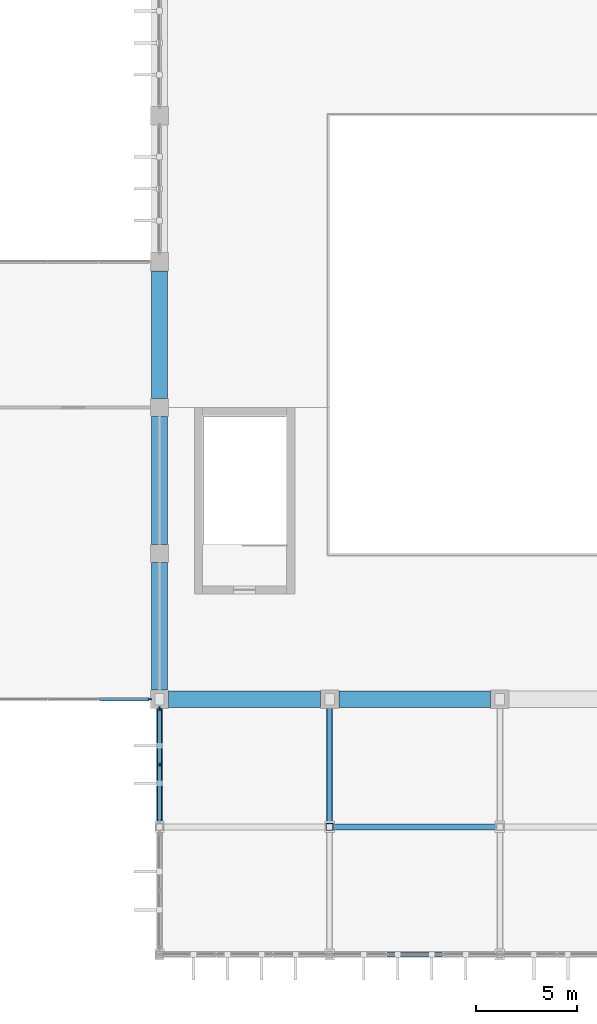
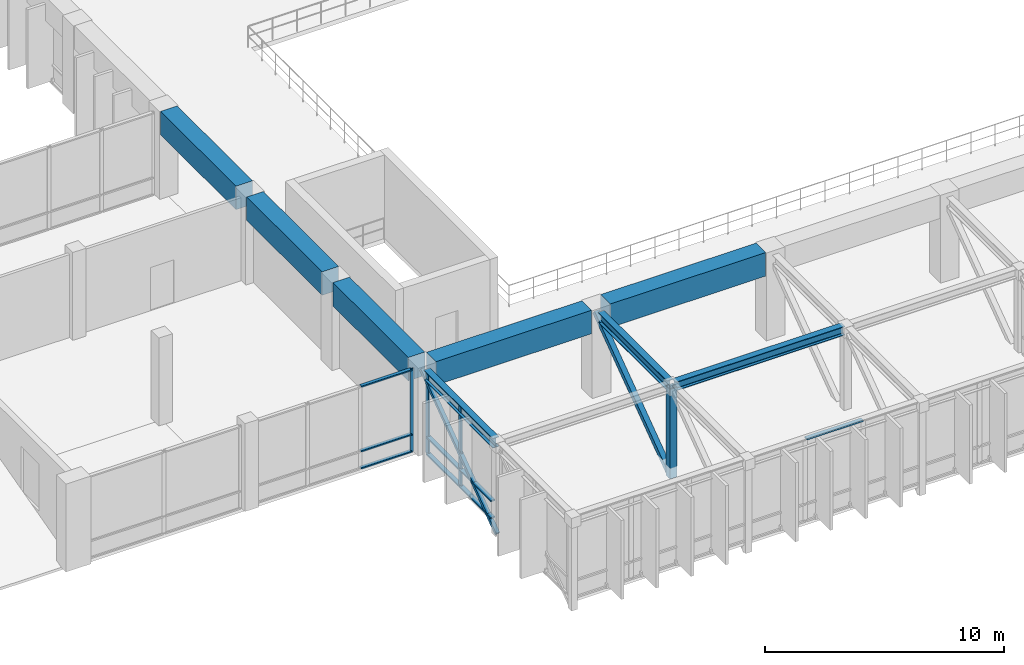
# One storey, part 3 of 40: 16 members, 8 beams, 3 elements without a shape of their own.
"""IFC4 building model written with IfcOpenShell, lengths in metres."""

from ifc_helpers import new_model, si_unit, direction, frame, origin, origin_2d, place, context, subcontext, project, spatial, rectangle, hollow_rectangle, i_section, extrude, material, material_profile, profile_set, type_object, element, aggregate, save


model = new_model("IFC4")

# Units and contexts
model_context = context("Model", 3, precision=1e-05, world=origin(), true_north=direction((0.0, 1.0)))
body_context = subcontext(model_context, "Body", "Model", "MODEL_VIEW")
ifc_project = project(units=[si_unit("LENGTHUNIT", "METRE"), si_unit("AREAUNIT", "SQUARE_METRE"), si_unit("VOLUMEUNIT", "CUBIC_METRE"), si_unit("PLANEANGLEUNIT", "RADIAN"), si_unit("MASSUNIT", "GRAM", prefix="KILO")], contexts=[model_context])

# Site, building, storey
site_placement = place(None, origin())
site = spatial("IfcSite", under=ifc_project, at=site_placement, CompositionType="ELEMENT")
building_placement = place(site_placement, origin())
building = spatial("IfcBuilding", under=site, at=building_placement, Name="Kenerak Square Central Library", CompositionType="ELEMENT")
storey_placement = place(building_placement, frame((0.0, 0.0, 14.39990234375)))
storey = spatial("IfcBuildingStorey", under=building, at=storey_placement, Name="L03", CompositionType="ELEMENT", Elevation=14.39990234375)

# Beams
ifc_material_1 = material(Name="Steel S355", Category="steel")
ifc_material_profile_1 = material_profile(ifc_material_1, i_section(OverallWidth=0.300048828125, OverallDepth=0.5, WebThickness=0.014404296875, FlangeThickness=0.028076171875, FilletRadius=0.027099609375, at=origin_2d()), Name="HEB 500")
ifc_profile_set_1 = profile_set([ifc_material_profile_1], Name="Steel S355")
beam_type_1 = type_object("IfcBeamType", Name="Backspan Steel Girder SB-03 HEB 500 S355", PredefinedType="BEAM", material=ifc_profile_set_1)
for number, where, z_axis, x_axis, name in (
    (1, (58.39990234375, 10.6201171875, 4.025146484375), (0.0, 1.0, 0.0), (-1.0, 0.0, 0.0), "Wall-Truss Chord 1 L03 008"),
    (2, (66.800048828125, 10.6201171875, 4.025146484375), (0.0, 1.0, 0.0), (-1.0, 0.0, 0.0), "Wall-Truss Chord 2 L03 024"),
):
    element("IfcBeam", number, at=place(storey_placement, frame(where, z_axis=z_axis, x_axis=x_axis)), inside=storey, type_object=beam_type_1, Name=name, PredefinedType="BEAM", context=body_context, shape_type="SweptSolid", body=[
        extrude(i_section(OverallWidth=0.300048828125, OverallDepth=0.5, WebThickness=0.014404296875, FlangeThickness=0.028076171875, FilletRadius=0.027099609375, at=origin_2d()), origin(), (0.0, 0.0, 1.0), 5.77978515625),
    ])

# Curtain wall, member
ifc_material_2 = material(Name="Anodised aluminium and solar-control low-E glazing", Category="aluminium")
curtain_wall_type_1 = type_object("IfcCurtainWallType", Name="Curtain Wall CW-V6-76x42 7625x4230", PredefinedType="USERDEFINED", material=ifc_material_2)
curtain_wall_1_placement = place(storey_placement, origin())
curtain_wall_1 = element("IfcCurtainWall", 3, at=curtain_wall_1_placement, inside=storey, type_object=curtain_wall_type_1, Name="Curtain Wall CW-V6-76x42 L03 0139", ObjectType="CURTAIN WALL", PredefinedType="USERDEFINED")
ifc_material_3 = material(Name="Anodised aluminium 6063-T6", Category="aluminium")
ifc_material_profile_2 = material_profile(ifc_material_3, rectangle(XDim=0.06494140625, YDim=0.179931640625, at=origin_2d()), Name="AL MULLION 65x180")
ifc_profile_set_2 = profile_set([ifc_material_profile_2], Name="Anodised aluminium 6063-T6")
member_type_1 = type_object("IfcMemberType", Name="Curtain Mullion CM-01 65x180", PredefinedType="MULLION", material=ifc_profile_set_2)
member_1_placement = place(storey_placement, frame((57.91748046875, 16.800048828125, 0.0), z_axis=(0.0, 0.0, 1.0), x_axis=(0.0, -1.0, 0.0)))
member_1 = element("IfcMember", 4, at=member_1_placement, type_object=member_type_1, Name="CW-V6-76x42 Mullion 1", PredefinedType="MULLION", context=body_context, shape_type="SweptSolid", body=[
    extrude(rectangle(XDim=0.06494140625, YDim=0.179931640625, at=origin_2d()), origin(), (0.0, 0.0, 1.0), 4.22998046875),
])

# Curtain wall, members
curtain_wall_type_2 = type_object("IfcCurtainWallType", Name="Curtain Wall CW-V1-55x42 5550x4230", PredefinedType="USERDEFINED", material=ifc_material_2)
curtain_wall_2_placement = place(storey_placement, origin())
curtain_wall_2 = element("IfcCurtainWall", 5, at=curtain_wall_2_placement, inside=storey, type_object=curtain_wall_type_2, Name="Curtain Wall CW-V1-55x42 L03 0138", ObjectType="CURTAIN WALL", PredefinedType="USERDEFINED")
ifc_material_profile_3 = material_profile(ifc_material_3, rectangle(XDim=0.074951171875, YDim=0.219970703125, at=origin_2d()), Name="AL MULLION 75x220")
ifc_profile_set_3 = profile_set([ifc_material_profile_3], Name="Anodised aluminium 6063-T6")
member_type_2 = type_object("IfcMemberType", Name="Curtain Mullion CM-02 75x220", PredefinedType="MULLION", material=ifc_profile_set_3)
member_2_placement = place(storey_placement, frame((58.39990234375, 13.574951171875, 0.0), z_axis=(0.0, 0.0, 1.0), x_axis=(-1.0, 0.0, 0.0)))
member_2 = element("IfcMember", 6, at=member_2_placement, type_object=member_type_2, Name="CW-V1-55x42 Mullion 2", PredefinedType="MULLION", context=body_context, shape_type="SweptSolid", body=[
    extrude(rectangle(XDim=0.074951171875, YDim=0.219970703125, at=origin_2d()), origin(), (0.0, 0.0, 1.0), 4.22998046875),
])
member_3_placement = place(storey_placement, frame((58.39990234375, 16.3125, 0.0), z_axis=(0.0, 0.0, 1.0), x_axis=(-1.0, 0.0, 0.0)))
member_3 = element("IfcMember", 7, at=member_3_placement, type_object=member_type_2, Name="CW-V1-55x42 Mullion 3", PredefinedType="MULLION", context=body_context, shape_type="SweptSolid", body=[
    extrude(rectangle(XDim=0.074951171875, YDim=0.219970703125, at=origin_2d()), origin(), (0.0, 0.0, 1.0), 4.22998046875),
])

# Member
ifc_material_profile_4 = material_profile(ifc_material_3, rectangle(XDim=0.159912109375, YDim=0.06494140625, at=origin_2d()), Name="AL TRANSOM 160x65")
ifc_profile_set_4 = profile_set([ifc_material_profile_4], Name="Anodised aluminium 6063-T6")
member_type_3 = type_object("IfcMemberType", Name="Curtain Transom CT-11 160x65", PredefinedType="USERDEFINED", material=ifc_profile_set_4)
member_4_placement = place(storey_placement, frame((57.885009765625, 16.800048828125, 0.03271484375), z_axis=(-1.0, 0.0, 0.0), x_axis=(0.0, -1.0, 0.0)))
member_4 = element("IfcMember", 8, at=member_4_placement, type_object=member_type_3, Name="CW-V6-76x42 Transom 1.1", ObjectType="TRANSOM", PredefinedType="USERDEFINED", context=body_context, shape_type="SweptSolid", body=[
    extrude(rectangle(XDim=0.159912109375, YDim=0.06494140625, at=origin_2d()), origin(), (0.0, 0.0, 1.0), 2.444091796875),
])

member_5_placement = place(storey_placement, frame((57.885009765625, 16.800048828125, 0.900146484375), z_axis=(-1.0, 0.0, 0.0), x_axis=(0.0, -1.0, 0.0)))
member_5 = element("IfcMember", 9, at=member_5_placement, type_object=member_type_3, Name="CW-V6-76x42 Transom 1.2", ObjectType="TRANSOM", PredefinedType="USERDEFINED", context=body_context, shape_type="SweptSolid", body=[
    extrude(rectangle(XDim=0.159912109375, YDim=0.06494140625, at=origin_2d()), origin(), (0.0, 0.0, 1.0), 2.444091796875),
])

member_6_placement = place(storey_placement, frame((57.885009765625, 16.800048828125, 4.197509765625), z_axis=(-1.0, 0.0, 0.0), x_axis=(0.0, -1.0, 0.0)))
member_6 = element("IfcMember", 10, at=member_6_placement, type_object=member_type_3, Name="CW-V6-76x42 Transom 1.3", ObjectType="TRANSOM", PredefinedType="USERDEFINED", context=body_context, shape_type="SweptSolid", body=[
    extrude(rectangle(XDim=0.159912109375, YDim=0.06494140625, at=origin_2d()), origin(), (0.0, 0.0, 1.0), 2.444091796875),
])

aggregate(curtain_wall_1, [member_1, member_4, member_5, member_6])

# Curtain wall, member
curtain_wall_type_3 = type_object("IfcCurtainWallType", Name="Curtain Wall CW-V1-84x42 8400x4230", PredefinedType="USERDEFINED", material=ifc_material_2)
curtain_wall_3_placement = place(storey_placement, origin())
curtain_wall_3 = element("IfcCurtainWall", 11, at=curtain_wall_3_placement, inside=storey, type_object=curtain_wall_type_3, Name="Curtain Wall CW-V1-84x42 L03 0135", ObjectType="CURTAIN WALL", PredefinedType="USERDEFINED")
ifc_material_profile_5 = material_profile(ifc_material_3, rectangle(XDim=0.199951171875, YDim=0.074951171875, at=origin_2d()), Name="AL TRANSOM 200x75")
ifc_profile_set_5 = profile_set([ifc_material_profile_5], Name="Anodised aluminium 6063-T6")
member_type_4 = type_object("IfcMemberType", Name="Curtain Transom CT-12 200x75", PredefinedType="USERDEFINED", material=ifc_profile_set_5)
member_7_placement = place(storey_placement, frame((72.362548828125, 4.199951171875, 4.192626953125), z_axis=(-1.0, 0.0, 0.0), x_axis=(0.0, -1.0, 0.0)))
member_7 = element("IfcMember", 12, at=member_7_placement, type_object=member_type_4, Name="CW-V1-84x42 Transom 2.3", ObjectType="TRANSOM", PredefinedType="USERDEFINED", context=body_context, shape_type="SweptSolid", body=[
    extrude(rectangle(XDim=0.199951171875, YDim=0.074951171875, at=origin_2d()), origin(), (0.0, 0.0, 1.0), 2.72509765625),
])
aggregate(curtain_wall_3, [member_7])

# Member
member_8_placement = place(storey_placement, frame((58.39990234375, 10.875, 0.03759765625), z_axis=(0.0, 1.0, 0.0), x_axis=(-1.0, 0.0, 0.0)))
member_8 = element("IfcMember", 13, at=member_8_placement, type_object=member_type_4, Name="CW-V1-55x42 Transom 1.1", ObjectType="TRANSOM", PredefinedType="USERDEFINED", context=body_context, shape_type="SweptSolid", body=[
    extrude(rectangle(XDim=0.199951171875, YDim=0.074951171875, at=origin_2d()), origin(), (0.0, 0.0, 1.0), 2.66259765625),
])

member_9_placement = place(storey_placement, frame((58.39990234375, 10.875, 0.900146484375), z_axis=(0.0, 1.0, 0.0), x_axis=(-1.0, 0.0, 0.0)))
member_9 = element("IfcMember", 14, at=member_9_placement, type_object=member_type_4, Name="CW-V1-55x42 Transom 1.2", ObjectType="TRANSOM", PredefinedType="USERDEFINED", context=body_context, shape_type="SweptSolid", body=[
    extrude(rectangle(XDim=0.199951171875, YDim=0.074951171875, at=origin_2d()), origin(), (0.0, 0.0, 1.0), 2.66259765625),
])

member_10_placement = place(storey_placement, frame((58.39990234375, 10.875, 4.192626953125), z_axis=(0.0, 1.0, 0.0), x_axis=(-1.0, 0.0, 0.0)))
member_10 = element("IfcMember", 15, at=member_10_placement, type_object=member_type_4, Name="CW-V1-55x42 Transom 1.3", ObjectType="TRANSOM", PredefinedType="USERDEFINED", context=body_context, shape_type="SweptSolid", body=[
    extrude(rectangle(XDim=0.199951171875, YDim=0.074951171875, at=origin_2d()), origin(), (0.0, 0.0, 1.0), 2.66259765625),
])

member_11_placement = place(storey_placement, frame((58.39990234375, 13.612548828125, 0.03759765625), z_axis=(0.0, 1.0, 0.0), x_axis=(-1.0, 0.0, 0.0)))
member_11 = element("IfcMember", 16, at=member_11_placement, type_object=member_type_4, Name="CW-V1-55x42 Transom 2.1", ObjectType="TRANSOM", PredefinedType="USERDEFINED", context=body_context, shape_type="SweptSolid", body=[
    extrude(rectangle(XDim=0.199951171875, YDim=0.074951171875, at=origin_2d()), origin(), (0.0, 0.0, 1.0), 2.662353515625),
])

member_12_placement = place(storey_placement, frame((58.39990234375, 13.612548828125, 0.900146484375), z_axis=(0.0, 1.0, 0.0), x_axis=(-1.0, 0.0, 0.0)))
member_12 = element("IfcMember", 17, at=member_12_placement, type_object=member_type_4, Name="CW-V1-55x42 Transom 2.2", ObjectType="TRANSOM", PredefinedType="USERDEFINED", context=body_context, shape_type="SweptSolid", body=[
    extrude(rectangle(XDim=0.199951171875, YDim=0.074951171875, at=origin_2d()), origin(), (0.0, 0.0, 1.0), 2.662353515625),
])

member_13_placement = place(storey_placement, frame((58.39990234375, 13.612548828125, 4.192626953125), z_axis=(0.0, 1.0, 0.0), x_axis=(-1.0, 0.0, 0.0)))
member_13 = element("IfcMember", 18, at=member_13_placement, type_object=member_type_4, Name="CW-V1-55x42 Transom 2.3", ObjectType="TRANSOM", PredefinedType="USERDEFINED", context=body_context, shape_type="SweptSolid", body=[
    extrude(rectangle(XDim=0.199951171875, YDim=0.074951171875, at=origin_2d()), origin(), (0.0, 0.0, 1.0), 2.662353515625),
])

aggregate(curtain_wall_2, [member_2, member_3, member_8, member_9, member_10, member_11, member_12, member_13])

# Beams
ifc_material_4 = material(Name="Concrete C45/55", Category="concrete")
ifc_material_profile_6 = material_profile(ifc_material_4, rectangle(XDim=0.800048828125, YDim=1.199951171875, at=origin_2d()), Name="RC 800x1200")
ifc_profile_set_6 = profile_set([ifc_material_profile_6], Name="Concrete C45/55")
beam_type_2 = type_object("IfcBeamType", Name="Gridshell Ring Beam RB-01 RC 800x1200 C45/55", PredefinedType="BEAM", material=ifc_profile_set_6)
for number, where, z_axis, x_axis, name in (
    (19, (58.85009765625, 16.800048828125, 3.880126953125), (1.0, 0.0, 0.0), (0.0, 1.0, 0.0), "Gridshell Ring Beam RB-01 01"),
    (20, (67.25, 16.800048828125, 3.880126953125), (1.0, 0.0, 0.0), (0.0, 1.0, 0.0), "Gridshell Ring Beam RB-01 02"),
):
    element("IfcBeam", number, at=place(storey_placement, frame(where, z_axis=z_axis, x_axis=x_axis)), inside=storey, type_object=beam_type_2, Name=name, PredefinedType="BEAM", context=body_context, shape_type="SweptSolid", body=[
        extrude(rectangle(XDim=0.800048828125, YDim=1.199951171875, at=origin_2d()), origin(), (0.0, 0.0, 1.0), 7.5),
    ])
for number, where, z_axis, x_axis, name in (
    (21, (58.39990234375, 17.25, 3.880126953125), (0.0, 1.0, 0.0), (-1.0, 0.0, 0.0), "Gridshell Ring Beam RB-01 15"),
    (22, (58.39990234375, 24.449951171875, 3.880126953125), (0.0, 1.0, 0.0), (-1.0, 0.0, 0.0), "Gridshell Ring Beam RB-01 16"),
    (23, (58.39990234375, 31.64990234375, 3.880126953125), (0.0, 1.0, 0.0), (-1.0, 0.0, 0.0), "Gridshell Ring Beam RB-01 17"),
):
    element("IfcBeam", number, at=place(storey_placement, frame(where, z_axis=z_axis, x_axis=x_axis)), inside=storey, type_object=beam_type_2, Name=name, PredefinedType="BEAM", context=body_context, shape_type="SweptSolid", body=[
        extrude(rectangle(XDim=0.800048828125, YDim=1.199951171875, at=origin_2d()), origin(), (0.0, 0.0, 1.0), 6.300048828125),
    ])
ifc_material_profile_7 = material_profile(ifc_material_1, i_section(OverallWidth=0.300048828125, OverallDepth=0.449951171875, WebThickness=0.013916015625, FlangeThickness=0.02587890625, FilletRadius=0.027099609375, at=origin_2d()), Name="HEB 450")
ifc_profile_set_7 = profile_set([ifc_material_profile_7], Name="Steel S355")
beam_type_3 = type_object("IfcBeamType", Name="Overhang Cross Girder SB-04 HEB 450 S355", PredefinedType="BEAM", material=ifc_profile_set_7)
beam_placement = place(storey_placement, frame((66.919921875, 10.5, 4.050048828125), z_axis=(1.0, 0.0, 0.0), x_axis=(0.0, 1.0, 0.0)))
element("IfcBeam", 24, at=beam_placement, inside=storey, type_object=beam_type_3, Name="Overhang Cross Girder SB-04 L03 1740", PredefinedType="BEAM", context=body_context, shape_type="SweptSolid", body=[
    extrude(i_section(OverallWidth=0.300048828125, OverallDepth=0.449951171875, WebThickness=0.013916015625, FlangeThickness=0.02587890625, FilletRadius=0.027099609375, at=origin_2d()), origin(), (0.0, 0.0, 1.0), 8.16015625),
])

# Members
ifc_material_profile_8 = material_profile(ifc_material_1, hollow_rectangle(XDim=0.179931640625, YDim=0.179931640625, WallThickness=0.008056640625, at=origin_2d()), Name="SHS 180x180x8.0")
ifc_profile_set_8 = profile_set([ifc_material_profile_8], Name="Steel S355")
member_type_5 = type_object("IfcMemberType", Name="Overhang Web Tie TM-06 SHS 180x180x8 S355", PredefinedType="STRUT", material=ifc_profile_set_8)
member_14_placement = place(storey_placement, frame((58.39990234375, 10.5, -0.5498046875), z_axis=(0.0, 0.809157580603, 0.587591703271), x_axis=(-1.0, 0.0, 0.0)))
element("IfcMember", 25, at=member_14_placement, inside=storey, type_object=member_type_5, Name="Wall-Truss Diagonal 1 L03 016", PredefinedType="STRUT", context=body_context, shape_type="SweptSolid", body=[
    extrude(hollow_rectangle(XDim=0.179931640625, YDim=0.179931640625, WallThickness=0.008056640625, at=origin_2d()), origin(), (0.0, 0.0, 1.0), 7.785888671875),
])
ifc_material_profile_9 = material_profile(ifc_material_1, hollow_rectangle(XDim=0.35009765625, YDim=0.35009765625, WallThickness=0.01611328125, at=origin_2d()), Name="SHS 350x350x16.0")
ifc_profile_set_9 = profile_set([ifc_material_profile_9], Name="Steel S355")
member_type_6 = type_object("IfcMemberType", Name="Wall-Truss Heavy Post TM-01 SHS 350x350x16 S355", PredefinedType="STRUT", material=ifc_profile_set_9)
member_15_placement = place(storey_placement, frame((66.800048828125, 10.5, -0.5498046875), z_axis=(0.0, 0.0, 1.0), x_axis=(1.0, 0.0, 0.0)))
element("IfcMember", 26, at=member_15_placement, inside=storey, type_object=member_type_6, Name="Wall-Truss Post 2 L03 030", PredefinedType="STRUT", context=body_context, shape_type="SweptSolid", body=[
    extrude(hollow_rectangle(XDim=0.35009765625, YDim=0.35009765625, WallThickness=0.01611328125, at=origin_2d()), origin(), (0.0, 0.0, 1.0), 4.574951171875),
])
ifc_material_profile_10 = material_profile(ifc_material_1, hollow_rectangle(XDim=0.25, YDim=0.25, WallThickness=0.010009765625, at=origin_2d()), Name="SHS 250x250x10.0")
ifc_profile_set_10 = profile_set([ifc_material_profile_10], Name="Steel S355")
member_type_7 = type_object("IfcMemberType", Name="Wall-Truss Web Diagonal TM-03 SHS 250x250x10 S355", PredefinedType="BRACE", material=ifc_profile_set_10)
member_16_placement = place(storey_placement, frame((66.800048828125, 10.5, -0.5498046875), z_axis=(0.0, 0.809157580603, 0.587591703271), x_axis=(-1.0, 0.0, 0.0)))
element("IfcMember", 27, at=member_16_placement, inside=storey, type_object=member_type_7, Name="Wall-Truss Diagonal 2 L03 032", PredefinedType="BRACE", context=body_context, shape_type="SweptSolid", body=[
    extrude(hollow_rectangle(XDim=0.25, YDim=0.25, WallThickness=0.010009765625, at=origin_2d()), origin(), (0.0, 0.0, 1.0), 7.785888671875),
])

save(model, "model.ifc")
